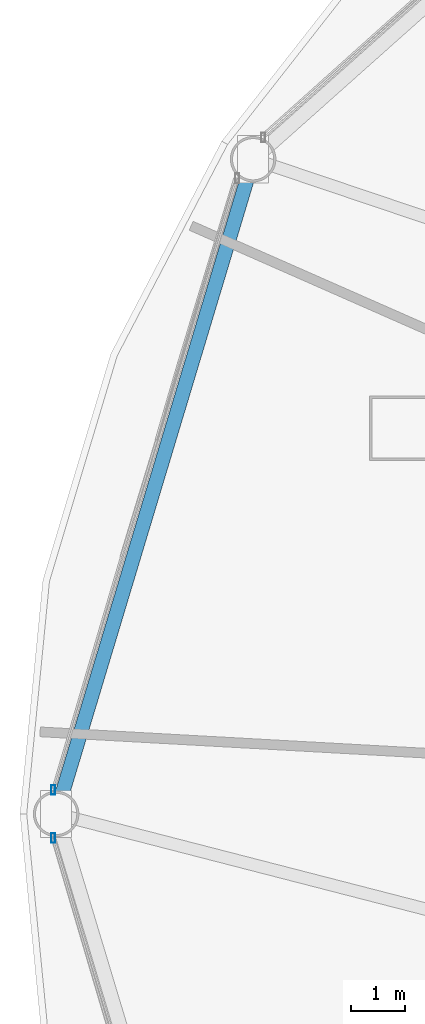
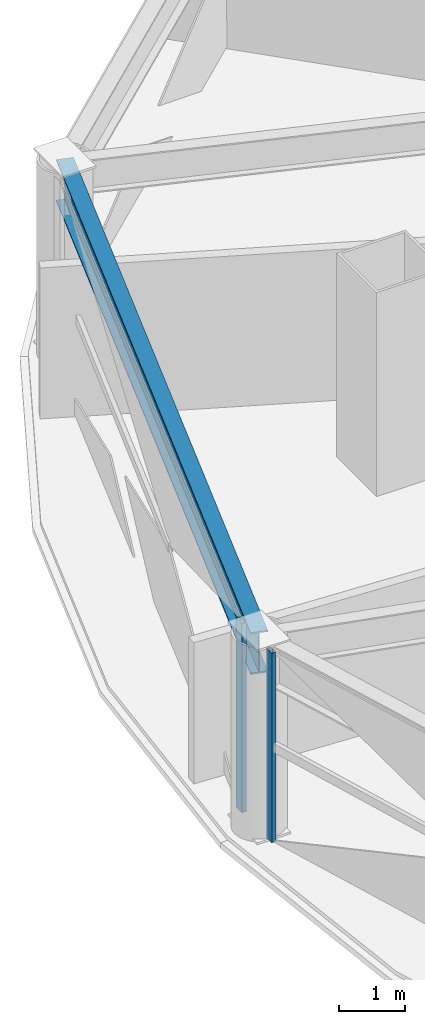
# One storey, part 6 of 29: 2 members, 1 beam, 2 elements without a shape of their own.
"""IFC4 building model written with IfcOpenShell, lengths in metres."""

from ifc_helpers import new_model, si_unit, direction, frame, origin, origin_2d, place, context, subcontext, project, spatial, hollow_rectangle, i_section, extrude, material, layer, layer_set, material_profile, profile_set, type_object, element, aggregate, save


model = new_model("IFC4")

# Units and contexts
model_context = context("Model", 3, precision=1e-05, world=origin(), true_north=direction((0.0, 1.0)))
body_context = subcontext(model_context, "Body", "Model", "MODEL_VIEW")
ifc_project = project(units=[si_unit("LENGTHUNIT", "METRE"), si_unit("AREAUNIT", "SQUARE_METRE"), si_unit("VOLUMEUNIT", "CUBIC_METRE"), si_unit("PLANEANGLEUNIT", "RADIAN"), si_unit("MASSUNIT", "GRAM", prefix="KILO")], contexts=[model_context])

# Site, building, storey
site_placement = place(None, origin())
site = spatial("IfcSite", under=ifc_project, at=site_placement, CompositionType="ELEMENT")
building_placement = place(site_placement, origin())
building = spatial("IfcBuilding", under=site, at=building_placement, Name="Vantalir Tower", CompositionType="ELEMENT")
storey_placement = place(building_placement, frame((0.0, 0.0, 60.75)))
storey = spatial("IfcBuildingStorey", under=building, at=storey_placement, Name="L14", CompositionType="ELEMENT", Elevation=60.75)

# Beam
ifc_material_1 = material(Name="Steel S460", Category="steel")
ifc_material_profile_1 = material_profile(ifc_material_1, i_section(OverallWidth=0.26806640625, OverallDepth=0.77001953125, WebThickness=0.015625, FlangeThickness=0.025390625, at=origin_2d()), Name="Steel S460")
ifc_profile_set_1 = profile_set([ifc_material_profile_1], Name="Steel S460")
beam_type = type_object("IfcBeamType", Name="BM-RG-762x267", PredefinedType="USERDEFINED", material=ifc_profile_set_1)
beam_placement = place(storey_placement, frame((7.72705078125, 37.22509765625, 3.18505859375), z_axis=(-0.28809870996, -0.957600717063, 0.0), x_axis=(0.957600717063, -0.28809870996, 0.0)))
element("IfcBeam", 1, at=beam_placement, inside=storey, type_object=beam_type, Name="L14 Circumferential Ring Girder 06", ObjectType="GIRDER", PredefinedType="USERDEFINED", context=body_context, shape_type="SweptSolid", body=[
    extrude(i_section(OverallWidth=0.26806640625, OverallDepth=0.77001953125, WebThickness=0.015625, FlangeThickness=0.025390625, at=origin_2d()), origin(), (0.0, 0.0, 1.0), 12.766357421875),
])

# Curtain wall, member
ifc_material_2 = material(Name="Champagne-silver PVDF aluminium and double-silver Low-E glass", Category="aluminium")
ifc_layer = layer(ifc_material_2, 0.18994140625)
ifc_layer_set = layer_set([ifc_layer], Name="Champagne-silver PVDF aluminium and double-silver Low-E glass")
curtain_wall_type = type_object("IfcCurtainWallType", Name="CW-DIAMOND-Z1", PredefinedType="USERDEFINED", material=ifc_layer_set)
curtain_wall_1_placement = place(storey_placement, origin())
curtain_wall_1 = element("IfcCurtainWall", 2, at=curtain_wall_1_placement, inside=storey, type_object=curtain_wall_type, Name="L14 Quilted Pyramid-Diamond Curtain Wall S06", ObjectType="UNITISED CURTAIN WALL", PredefinedType="USERDEFINED")
ifc_material_3 = material(Name="Champagne-silver PVDF aluminium 6063-T6", Category="aluminium")
ifc_material_profile_2 = material_profile(ifc_material_3, hollow_rectangle(XDim=0.074951171875, YDim=0.179931640625, WallThickness=0.00390625, at=origin_2d()), Name="Champagne-silver PVDF aluminium 6063-T6")
ifc_profile_set_2 = profile_set([ifc_material_profile_2], Name="Champagne-silver PVDF aluminium 6063-T6")
member_type = type_object("IfcMemberType", Name="CWM-180x75", PredefinedType="MULLION", material=ifc_profile_set_2)
member_1_placement = place(storey_placement, frame((3.993896484375, 25.449951171875, 0.044921875), z_axis=(0.0, 0.0, 1.0), x_axis=(1.0, 0.0, 0.0)))
member_1 = element("IfcMember", 3, at=member_1_placement, type_object=member_type, Name="CW-L14-S06 Mullion 2", PredefinedType="MULLION", context=body_context, shape_type="SweptSolid", body=[
    extrude(hollow_rectangle(XDim=0.074951171875, YDim=0.179931640625, WallThickness=0.00390625, at=origin_2d()), origin(), (0.0, 0.0, 1.0), 3.47998046875),
])
aggregate(curtain_wall_1, [member_1])

curtain_wall_2_placement = place(storey_placement, origin())
curtain_wall_2 = element("IfcCurtainWall", 4, at=curtain_wall_2_placement, inside=storey, type_object=curtain_wall_type, Name="L14 Quilted Pyramid-Diamond Curtain Wall S07", ObjectType="UNITISED CURTAIN WALL", PredefinedType="USERDEFINED")
member_2_placement = place(storey_placement, frame((3.993896484375, 24.550048828125, 0.044921875), z_axis=(0.0, 0.0, 1.0), x_axis=(1.0, 0.0, 0.0)))
member_2 = element("IfcMember", 5, at=member_2_placement, type_object=member_type, Name="CW-L14-S07 Mullion 1", PredefinedType="MULLION", context=body_context, shape_type="SweptSolid", body=[
    extrude(hollow_rectangle(XDim=0.074951171875, YDim=0.179931640625, WallThickness=0.00390625, at=origin_2d()), origin(), (0.0, 0.0, 1.0), 3.47998046875),
])
aggregate(curtain_wall_2, [member_2])

save(model, "model.ifc")
